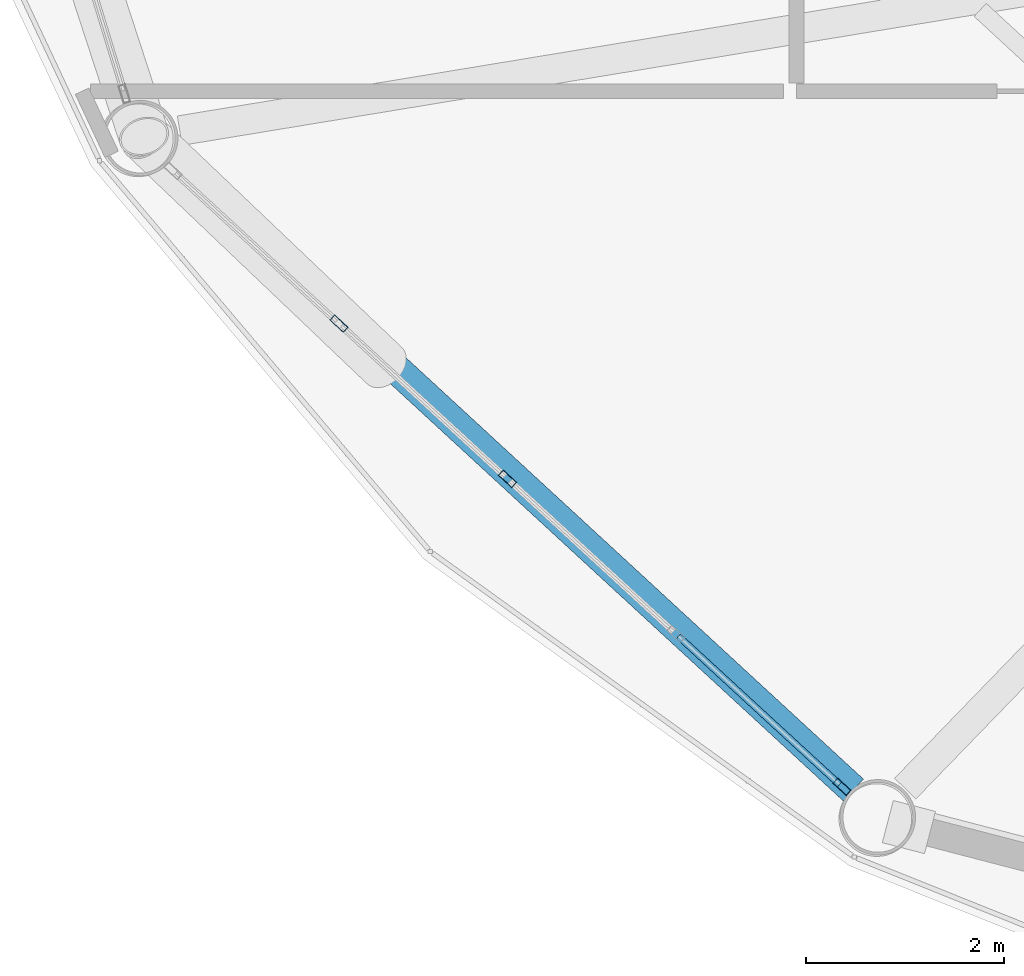
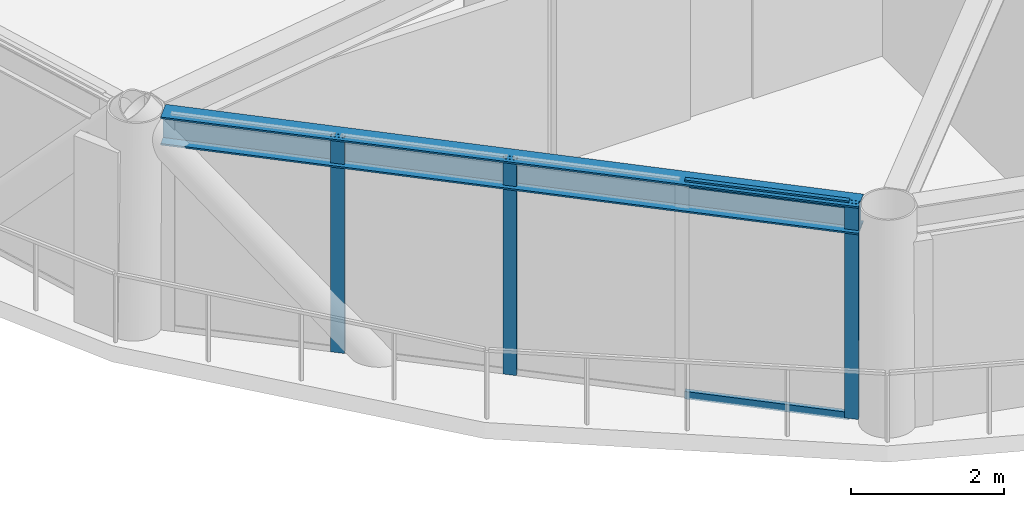
# One storey, part 2 of 26: 5 members, 1 beam, 1 element without a shape of its own.
"""IFC4 building model written with IfcOpenShell, lengths in metres."""

from ifc_helpers import new_model, si_unit, direction, frame, origin, origin_2d, place, context, subcontext, project, spatial, hollow_rectangle, i_section, extrude, material, layer, layer_set, material_profile, profile_set, type_object, element, aggregate, save


model = new_model("IFC4")

# Units and contexts
model_context = context("Model", 3, precision=1e-05, world=origin(), true_north=direction((0.0, 1.0)))
body_context = subcontext(model_context, "Body", "Model", "MODEL_VIEW")
ifc_project = project(units=[si_unit("LENGTHUNIT", "METRE"), si_unit("AREAUNIT", "SQUARE_METRE"), si_unit("VOLUMEUNIT", "CUBIC_METRE"), si_unit("PLANEANGLEUNIT", "RADIAN"), si_unit("MASSUNIT", "GRAM", prefix="KILO")], contexts=[model_context])

# Site, building, storey
site_placement = place(None, origin())
site = spatial("IfcSite", under=ifc_project, at=site_placement, CompositionType="ELEMENT")
building_placement = place(site_placement, origin())
building = spatial("IfcBuilding", under=site, at=building_placement, Name="Varnakorn Sky Granary", CompositionType="ELEMENT")
storey_placement = place(building_placement, frame((0.0, 0.0, 165.60009765625)))
storey = spatial("IfcBuildingStorey", under=building, at=storey_placement, Name="L41", CompositionType="ELEMENT", Elevation=165.60009765625)

# Beam
ifc_material_1 = material(Name="Steel S355JR", Category="steel")
ifc_material_profile_1 = material_profile(ifc_material_1, i_section(OverallWidth=0.300048828125, OverallDepth=0.449951171875, WebThickness=0.013916015625, FlangeThickness=0.02587890625, at=origin_2d()), Name="HE 450 B")
ifc_profile_set_1 = profile_set([ifc_material_profile_1], Name="Steel S355JR")
beam_type = type_object("IfcBeamType", Name="BM-SPD-Z3", PredefinedType="SPANDREL", material=ifc_profile_set_1)
beam_placement = place(storey_placement, frame((-18.82421875, -9.60546875, 3.224853515625), z_axis=(0.735474776919, -0.677552103174, 0.0), x_axis=(0.677552103174, 0.735474776919, 0.0)))
element("IfcBeam", 1, at=beam_placement, inside=storey, type_object=beam_type, Name="Perimeter Spandrel Ring Beam RB08 L41", PredefinedType="SPANDREL", context=body_context, shape_type="SweptSolid", body=[
    extrude(i_section(OverallWidth=0.300048828125, OverallDepth=0.449951171875, WebThickness=0.013916015625, FlangeThickness=0.02587890625, at=origin_2d()), origin(), (0.0, 0.0, 1.0), 9.378173828125),
])

# Curtain wall, members
ifc_material_2 = material(Name="Anodised Bronze Aluminium Alloy 6063-T6", Category="aluminium")
ifc_layer = layer(ifc_material_2, 0.179931640625, Name="Anodised Bronze Aluminium Alloy 6063-T6")
ifc_layer_set = layer_set([ifc_layer], Name="Anodised Bronze Aluminium Alloy 6063-T6")
curtain_wall_type = type_object("IfcCurtainWallType", Name="CW-FRM-2", PredefinedType="USERDEFINED", material=ifc_layer_set)
curtain_wall_placement = place(storey_placement, origin())
curtain_wall = element("IfcCurtainWall", 2, at=curtain_wall_placement, inside=storey, type_object=curtain_wall_type, Name="Unitised Curtain Wall CW4 CW-L41-B08", ObjectType="CURTAIN WALL", PredefinedType="USERDEFINED")
ifc_material_profile_2 = material_profile(ifc_material_2, hollow_rectangle(XDim=0.070068359375, YDim=0.18505859375, WallThickness=0.00390625, at=origin_2d()), Name="ALU MULL 70x185")
ifc_profile_set_2 = profile_set([ifc_material_profile_2], Name="Anodised Bronze Aluminium Alloy 6063-T6")
member_type_1 = type_object("IfcMemberType", Name="CW-FRM-2-MULL", PredefinedType="MULLION", material=ifc_profile_set_2)
member_1_placement = place(storey_placement, frame((-12.041259765625, -15.9267578125, 0.0), z_axis=(0.0, 0.0, 1.0), x_axis=(-0.677284882962, -0.735720862359, 0.0)))
member_1 = element("IfcMember", 3, at=member_1_placement, type_object=member_type_1, Name="CW4 mullion 1", PredefinedType="MULLION", context=body_context, shape_type="SweptSolid", body=[
    extrude(hollow_rectangle(XDim=0.070068359375, YDim=0.18505859375, WallThickness=0.00390625, at=origin_2d()), origin(), (0.0, 0.0, 1.0), 3.449951171875),
])
member_2_placement = place(storey_placement, frame((-15.421142578125, -12.8154296875, 0.0), z_axis=(0.0, 0.0, 1.0), x_axis=(-0.677284882962, -0.735720862359, 0.0)))
member_2 = element("IfcMember", 4, at=member_2_placement, type_object=member_type_1, Name="CW4 mullion 3", PredefinedType="MULLION", context=body_context, shape_type="SweptSolid", body=[
    extrude(hollow_rectangle(XDim=0.070068359375, YDim=0.18505859375, WallThickness=0.00390625, at=origin_2d()), origin(), (0.0, 0.0, 1.0), 3.449951171875),
])
member_3_placement = place(storey_placement, frame((-17.1240234375, -11.247802734375, 0.0), z_axis=(0.0, 0.0, 1.0), x_axis=(-0.677284882962, -0.735720862359, 0.0)))
member_3 = element("IfcMember", 5, at=member_3_placement, type_object=member_type_1, Name="CW4 mullion 4", PredefinedType="MULLION", context=body_context, shape_type="SweptSolid", body=[
    extrude(hollow_rectangle(XDim=0.070068359375, YDim=0.18505859375, WallThickness=0.00390625, at=origin_2d()), origin(), (0.0, 0.0, 1.0), 3.449951171875),
])
ifc_material_profile_3 = material_profile(ifc_material_2, hollow_rectangle(XDim=0.06494140625, YDim=0.1201171875, WallThickness=0.00341796875, at=origin_2d()), Name="ALU TRAN 65x120")
ifc_profile_set_3 = profile_set([ifc_material_profile_3], Name="Anodised Bronze Aluminium Alloy 6063-T6")
member_type_2 = type_object("IfcMemberType", Name="CW-FRM-2-TRAN", PredefinedType="USERDEFINED", material=ifc_profile_set_3)
member_4_placement = place(storey_placement, frame((-12.06689453125, -15.903076171875, 0.032470703125), z_axis=(-0.735781242448, 0.677219287425, 0.0), x_axis=(-0.677219287425, -0.735781242448, 0.0)))
member_4 = element("IfcMember", 6, at=member_4_placement, type_object=member_type_2, Name="CW4 transom 1.1", ObjectType="TRANSOM", PredefinedType="USERDEFINED", context=body_context, shape_type="SweptSolid", body=[
    extrude(hollow_rectangle(XDim=0.06494140625, YDim=0.1201171875, WallThickness=0.00341796875, at=origin_2d()), origin(), (0.0, 0.0, 1.0), 2.20947265625),
])
member_5_placement = place(storey_placement, frame((-12.06689453125, -15.903076171875, 3.41748046875), z_axis=(-0.735781242448, 0.677219287425, 0.0), x_axis=(-0.677219287425, -0.735781242448, 0.0)))
member_5 = element("IfcMember", 7, at=member_5_placement, type_object=member_type_2, Name="CW4 transom 1.2", ObjectType="TRANSOM", PredefinedType="USERDEFINED", context=body_context, shape_type="SweptSolid", body=[
    extrude(hollow_rectangle(XDim=0.06494140625, YDim=0.1201171875, WallThickness=0.00341796875, at=origin_2d()), origin(), (0.0, 0.0, 1.0), 2.20947265625),
])
aggregate(curtain_wall, [member_1, member_2, member_3, member_4, member_5])

save(model, "model.ifc")
